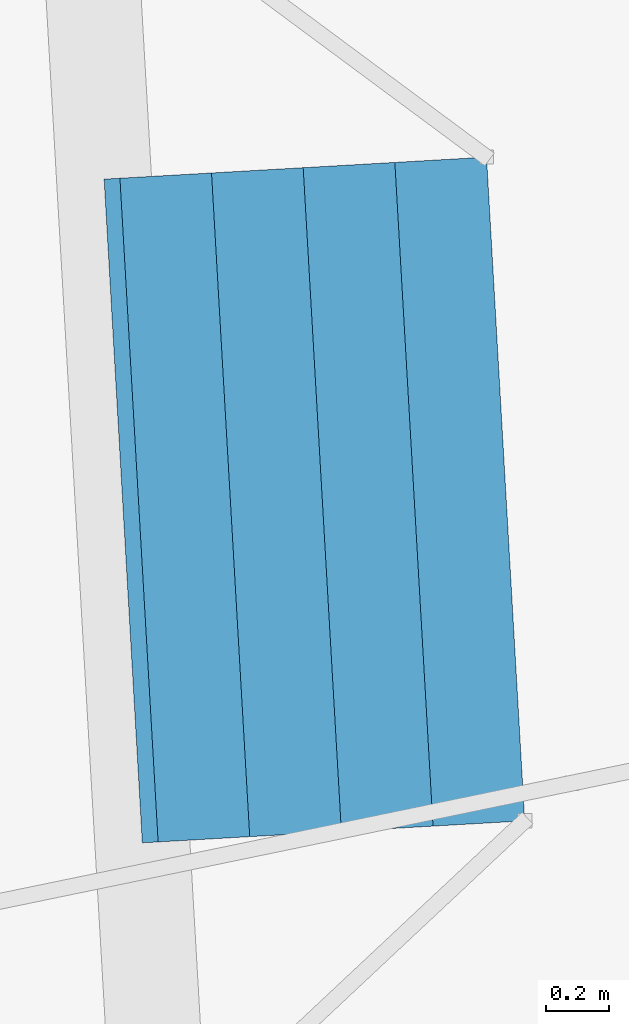
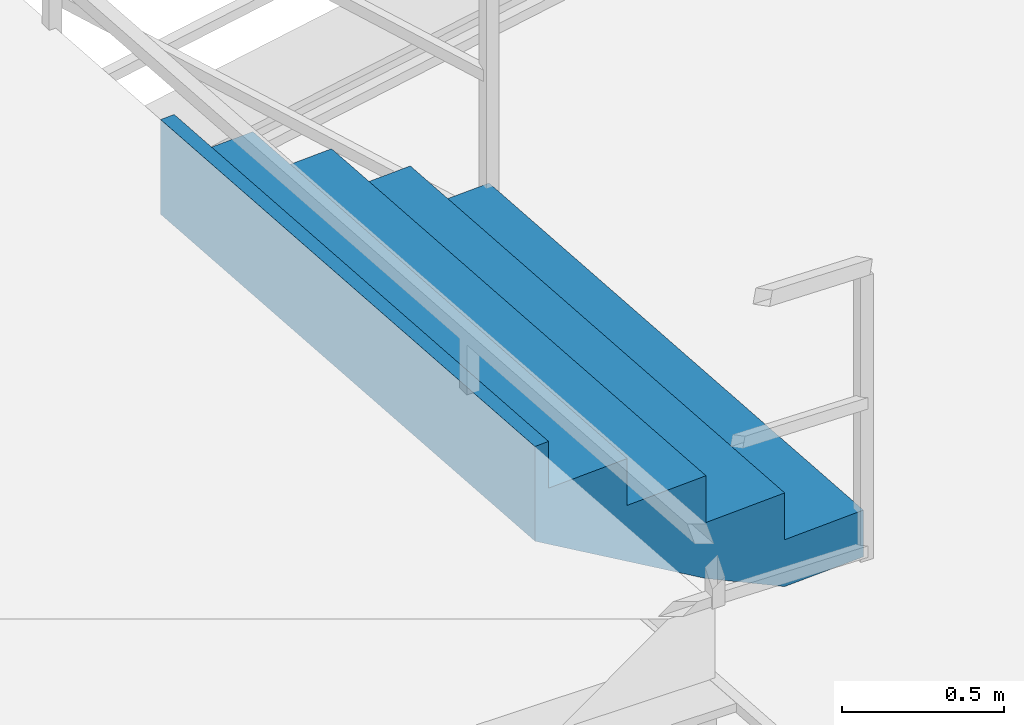
# One storey, part 156 of 186: 1 stair flight, 1 element without a shape of its own.
"""IFC4 building model written with IfcOpenShell, lengths in metres."""

from ifc_helpers import new_model, si_unit, direction, frame, origin, place, context, subcontext, project, spatial, polygons, material, type_object, element, aggregate, save


model = new_model("IFC4")

# Units and contexts
model_context = context("Model", 3, precision=1e-05, world=origin(), true_north=direction((0.0, 1.0)))
body_context = subcontext(model_context, "Body", "Model", "MODEL_VIEW")
ifc_project = project(units=[si_unit("LENGTHUNIT", "METRE"), si_unit("AREAUNIT", "SQUARE_METRE"), si_unit("VOLUMEUNIT", "CUBIC_METRE"), si_unit("PLANEANGLEUNIT", "RADIAN"), si_unit("MASSUNIT", "GRAM", prefix="KILO")], contexts=[model_context])

# Site, building, storey
site_placement = place(None, origin())
site = spatial("IfcSite", under=ifc_project, at=site_placement, CompositionType="ELEMENT")
building_placement = place(site_placement, origin())
building = spatial("IfcBuilding", under=site, at=building_placement, Name="Kazemori Nagisa Stadium", CompositionType="ELEMENT")
storey_placement = place(building_placement, frame((0.0, 0.0, 20.39990234375)))
storey = spatial("IfcBuildingStorey", under=building, at=storey_placement, Name="L04", CompositionType="ELEMENT", Elevation=20.39990234375)

# Stair, stair flight
ifc_material = material(Name="Concrete C36/45 (Fc36)", Category="concrete")
stair_type = type_object("IfcStairType", Name="Stair_VOM_VU", PredefinedType="STRAIGHT_RUN_STAIR", material=ifc_material)
stair_placement = place(storey_placement, origin())
stair = element("IfcStair", 1, at=stair_placement, inside=storey, type_object=stair_type, Name="Vomitory stair upper VU01", PredefinedType="STRAIGHT_RUN_STAIR")
stair_flight_type = type_object("IfcStairFlightType", Name="Flight_VOM_VU", PredefinedType="STRAIGHT", material=ifc_material)
stair_flight_placement = place(storey_placement, frame((198.03466796875, 115.041259765625, 0.0), z_axis=(0.0, 0.0, 1.0), x_axis=(-0.998348308556, -0.057451325513, 0.0)))
stair_flight = element("IfcStairFlight", 2, at=stair_flight_placement, type_object=stair_flight_type, Name="Vomitory stair upper VU01 flight", NumberOfRisers=5, NumberOfTreads=4, PredefinedType="STRAIGHT", RiserHeight=0.176, TreadLength=0.29, context=body_context, shape_type="Tessellation", body=[
    polygons([(0.0, -1.050048828125, 0.0), (0.0, -1.050048828125, 0.176025390625), (0.2900390625, -1.050048828125, 0.176025390625), (0.2900390625, -1.050048828125, 0.35205078125), (0.580078125, -1.050048828125, 0.35205078125), (0.580078125, -1.050048828125, 0.528076171875), (0.8701171875, -1.050048828125, 0.528076171875), (0.8701171875, -1.050048828125, 0.7041015625), (1.159912109375, -1.050048828125, 0.7041015625), (1.159912109375, -1.050048828125, 0.8798828125), (1.2099609375, -1.050048828125, 0.8798828125), (1.2099609375, -1.050048828125, 0.52392578125), (1.159912109375, -1.050048828125, 0.493408203125), (0.8701171875, -1.050048828125, 0.317626953125), (0.580078125, -1.050048828125, 0.1416015625), (0.2900390625, -1.050048828125, 0.0), (0.0, -0.083984375, 0.0), (0.0, -0.083984375, 0.176025390625), (0.2900390625, -0.083984375, 0.176025390625), (0.2900390625, -0.083984375, 0.35205078125), (0.580078125, -0.083984375, 0.35205078125), (0.580078125, -0.083984375, 0.528076171875), (0.8701171875, -0.083984375, 0.528076171875), (0.8701171875, -0.083984375, 0.7041015625), (1.159912109375, -0.083984375, 0.7041015625), (1.159912109375, -0.083984375, 0.8798828125), (1.2099609375, -0.083984375, 0.8798828125), (1.2099609375, -0.083984375, 0.52392578125), (1.159912109375, -0.083984375, 0.493408203125), (0.8701171875, -0.083984375, 0.317626953125), (0.580078125, -0.083984375, 0.1416015625), (0.2900390625, -0.083984375, 0.0), (0.0, -0.06298828125, 0.0), (0.0, -0.06298828125, 0.176025390625), (0.2900390625, -0.06298828125, 0.176025390625), (0.2900390625, -0.06298828125, 0.35205078125), (0.580078125, -0.06298828125, 0.35205078125), (0.580078125, -0.06298828125, 0.528076171875), (0.8701171875, -0.06298828125, 0.528076171875), (0.8701171875, -0.06298828125, 0.7041015625), (1.159912109375, -0.06298828125, 0.7041015625), (1.159912109375, -0.06298828125, 0.8798828125), (1.2099609375, -0.06298828125, 0.8798828125), (1.2099609375, -0.06298828125, 0.52392578125), (1.159912109375, -0.06298828125, 0.493408203125), (0.8701171875, -0.06298828125, 0.317626953125), (0.580078125, -0.06298828125, 0.1416015625), (0.2900390625, -0.06298828125, 0.0), (0.0, -0.0419921875, 0.0), (0.0, -0.0419921875, 0.176025390625), (0.2900390625, -0.0419921875, 0.176025390625), (0.2900390625, -0.0419921875, 0.35205078125), (0.580078125, -0.0419921875, 0.35205078125), (0.580078125, -0.0419921875, 0.528076171875), (0.8701171875, -0.0419921875, 0.528076171875), (0.8701171875, -0.0419921875, 0.7041015625), (1.159912109375, -0.0419921875, 0.7041015625), (1.159912109375, -0.0419921875, 0.8798828125), (1.2099609375, -0.0419921875, 0.8798828125), (1.2099609375, -0.0419921875, 0.52392578125), (1.159912109375, -0.0419921875, 0.493408203125), (0.8701171875, -0.0419921875, 0.317626953125), (0.580078125, -0.0419921875, 0.1416015625), (0.2900390625, -0.0419921875, 0.0), (0.0, -0.02099609375, 0.0), (0.0, -0.02099609375, 0.176025390625), (0.2900390625, -0.02099609375, 0.176025390625), (0.2900390625, -0.02099609375, 0.35205078125), (0.580078125, -0.02099609375, 0.35205078125), (0.580078125, -0.02099609375, 0.528076171875), (0.8701171875, -0.02099609375, 0.528076171875), (0.8701171875, -0.02099609375, 0.7041015625), (1.159912109375, -0.02099609375, 0.7041015625), (1.159912109375, -0.02099609375, 0.8798828125), (1.2099609375, -0.02099609375, 0.8798828125), (1.2099609375, -0.02099609375, 0.52392578125), (1.159912109375, -0.02099609375, 0.493408203125), (0.8701171875, -0.02099609375, 0.317626953125), (0.580078125, -0.02099609375, 0.1416015625), (0.2900390625, -0.02099609375, 0.0), (0.0, 0.0, 0.0), (0.0, 0.0, 0.176025390625), (0.2900390625, 0.0, 0.176025390625), (0.2900390625, 0.0, 0.35205078125), (0.580078125, 0.0, 0.35205078125), (0.580078125, 0.0, 0.528076171875), (0.8701171875, 0.0, 0.528076171875), (0.8701171875, 0.0, 0.7041015625), (1.159912109375, 0.0, 0.7041015625), (1.159912109375, 0.0, 0.8798828125), (1.2099609375, 0.0, 0.8798828125), (1.2099609375, 0.0, 0.52392578125), (1.159912109375, 0.0, 0.493408203125), (0.8701171875, 0.0, 0.317626953125), (0.580078125, 0.0, 0.1416015625), (0.2900390625, 0.0, 0.0), (0.0, 0.02099609375, 0.0), (0.0, 0.02099609375, 0.176025390625), (0.2900390625, 0.02099609375, 0.176025390625), (0.2900390625, 0.02099609375, 0.35205078125), (0.580078125, 0.02099609375, 0.35205078125), (0.580078125, 0.02099609375, 0.528076171875), (0.8701171875, 0.02099609375, 0.528076171875), (0.8701171875, 0.02099609375, 0.7041015625), (1.159912109375, 0.02099609375, 0.7041015625), (1.159912109375, 0.02099609375, 0.8798828125), (1.2099609375, 0.02099609375, 0.8798828125), (1.2099609375, 0.02099609375, 0.52392578125), (1.159912109375, 0.02099609375, 0.493408203125), (0.8701171875, 0.02099609375, 0.317626953125), (0.580078125, 0.02099609375, 0.1416015625), (0.2900390625, 0.02099609375, 0.0), (0.0, 0.0419921875, 0.0), (0.0, 0.0419921875, 0.176025390625), (0.2900390625, 0.0419921875, 0.176025390625), (0.2900390625, 0.0419921875, 0.35205078125), (0.580078125, 0.0419921875, 0.35205078125), (0.580078125, 0.0419921875, 0.528076171875), (0.8701171875, 0.0419921875, 0.528076171875), (0.8701171875, 0.0419921875, 0.7041015625), (1.159912109375, 0.0419921875, 0.7041015625), (1.159912109375, 0.0419921875, 0.8798828125), (1.2099609375, 0.0419921875, 0.8798828125), (1.2099609375, 0.0419921875, 0.52392578125), (1.159912109375, 0.0419921875, 0.493408203125), (0.8701171875, 0.0419921875, 0.317626953125), (0.580078125, 0.0419921875, 0.1416015625), (0.2900390625, 0.0419921875, 0.0), (0.0, 0.06298828125, 0.0), (0.0, 0.06298828125, 0.176025390625), (0.2900390625, 0.06298828125, 0.176025390625), (0.2900390625, 0.06298828125, 0.35205078125), (0.580078125, 0.06298828125, 0.35205078125), (0.580078125, 0.06298828125, 0.528076171875), (0.8701171875, 0.06298828125, 0.528076171875), (0.8701171875, 0.06298828125, 0.7041015625), (1.159912109375, 0.06298828125, 0.7041015625), (1.159912109375, 0.06298828125, 0.8798828125), (1.2099609375, 0.06298828125, 0.8798828125), (1.2099609375, 0.06298828125, 0.52392578125), (1.159912109375, 0.06298828125, 0.493408203125), (0.8701171875, 0.06298828125, 0.317626953125), (0.580078125, 0.06298828125, 0.1416015625), (0.2900390625, 0.06298828125, 0.0), (0.0, 0.083984375, 0.0), (0.0, 0.083984375, 0.176025390625), (0.2900390625, 0.083984375, 0.176025390625), (0.2900390625, 0.083984375, 0.35205078125), (0.580078125, 0.083984375, 0.35205078125), (0.580078125, 0.083984375, 0.528076171875), (0.8701171875, 0.083984375, 0.528076171875), (0.8701171875, 0.083984375, 0.7041015625), (1.159912109375, 0.083984375, 0.7041015625), (1.159912109375, 0.083984375, 0.8798828125), (1.2099609375, 0.083984375, 0.8798828125), (1.2099609375, 0.083984375, 0.52392578125), (1.159912109375, 0.083984375, 0.493408203125), (0.8701171875, 0.083984375, 0.317626953125), (0.580078125, 0.083984375, 0.1416015625), (0.2900390625, 0.083984375, 0.0), (0.0, 1.050048828125, 0.0), (0.0, 1.050048828125, 0.176025390625), (0.2900390625, 1.050048828125, 0.176025390625), (0.2900390625, 1.050048828125, 0.35205078125), (0.580078125, 1.050048828125, 0.35205078125), (0.580078125, 1.050048828125, 0.528076171875), (0.8701171875, 1.050048828125, 0.528076171875), (0.8701171875, 1.050048828125, 0.7041015625), (1.159912109375, 1.050048828125, 0.7041015625), (1.159912109375, 1.050048828125, 0.8798828125), (1.2099609375, 1.050048828125, 0.8798828125), (1.2099609375, 1.050048828125, 0.52392578125), (1.159912109375, 1.050048828125, 0.493408203125), (0.8701171875, 1.050048828125, 0.317626953125), (0.580078125, 1.050048828125, 0.1416015625), (0.2900390625, 1.050048828125, 0.0)], [[[1, 2, 18]], [[1, 18, 17]], [[2, 3, 19]], [[2, 19, 18]], [[3, 4, 20]], [[3, 20, 19]], [[4, 5, 21]], [[4, 21, 20]], [[5, 6, 22]], [[5, 22, 21]], [[6, 7, 23]], [[6, 23, 22]], [[7, 8, 24]], [[7, 24, 23]], [[8, 9, 25]], [[8, 25, 24]], [[9, 10, 26]], [[9, 26, 25]], [[10, 11, 27]], [[10, 27, 26]], [[11, 12, 28]], [[11, 28, 27]], [[12, 13, 29]], [[12, 29, 28]], [[13, 14, 30]], [[13, 30, 29]], [[14, 15, 31]], [[14, 31, 30]], [[15, 16, 32]], [[15, 32, 31]], [[16, 1, 17]], [[16, 17, 32]], [[17, 18, 34]], [[17, 34, 33]], [[18, 19, 35]], [[18, 35, 34]], [[19, 20, 36]], [[19, 36, 35]], [[20, 21, 37]], [[20, 37, 36]], [[21, 22, 38]], [[21, 38, 37]], [[22, 23, 39]], [[22, 39, 38]], [[23, 24, 40]], [[23, 40, 39]], [[24, 25, 41]], [[24, 41, 40]], [[25, 26, 42]], [[25, 42, 41]], [[26, 27, 43]], [[26, 43, 42]], [[27, 28, 44]], [[27, 44, 43]], [[28, 29, 45]], [[28, 45, 44]], [[29, 30, 46]], [[29, 46, 45]], [[30, 31, 47]], [[30, 47, 46]], [[31, 32, 48]], [[31, 48, 47]], [[32, 17, 33]], [[32, 33, 48]], [[33, 34, 50]], [[33, 50, 49]], [[34, 35, 51]], [[34, 51, 50]], [[35, 36, 52]], [[35, 52, 51]], [[36, 37, 53]], [[36, 53, 52]], [[37, 38, 54]], [[37, 54, 53]], [[38, 39, 55]], [[38, 55, 54]], [[39, 40, 56]], [[39, 56, 55]], [[40, 41, 57]], [[40, 57, 56]], [[41, 42, 58]], [[41, 58, 57]], [[42, 43, 59]], [[42, 59, 58]], [[43, 44, 60]], [[43, 60, 59]], [[44, 45, 61]], [[44, 61, 60]], [[45, 46, 62]], [[45, 62, 61]], [[46, 47, 63]], [[46, 63, 62]], [[47, 48, 64]], [[47, 64, 63]], [[48, 33, 49]], [[48, 49, 64]], [[49, 50, 66]], [[49, 66, 65]], [[50, 51, 67]], [[50, 67, 66]], [[51, 52, 68]], [[51, 68, 67]], [[52, 53, 69]], [[52, 69, 68]], [[53, 54, 70]], [[53, 70, 69]], [[54, 55, 71]], [[54, 71, 70]], [[55, 56, 72]], [[55, 72, 71]], [[56, 57, 73]], [[56, 73, 72]], [[57, 58, 74]], [[57, 74, 73]], [[58, 59, 75]], [[58, 75, 74]], [[59, 60, 76]], [[59, 76, 75]], [[60, 61, 77]], [[60, 77, 76]], [[61, 62, 78]], [[61, 78, 77]], [[62, 63, 79]], [[62, 79, 78]], [[63, 64, 80]], [[63, 80, 79]], [[64, 49, 65]], [[64, 65, 80]], [[65, 66, 82]], [[65, 82, 81]], [[66, 67, 83]], [[66, 83, 82]], [[67, 68, 84]], [[67, 84, 83]], [[68, 69, 85]], [[68, 85, 84]], [[69, 70, 86]], [[69, 86, 85]], [[70, 71, 87]], [[70, 87, 86]], [[71, 72, 88]], [[71, 88, 87]], [[72, 73, 89]], [[72, 89, 88]], [[73, 74, 90]], [[73, 90, 89]], [[74, 75, 91]], [[74, 91, 90]], [[75, 76, 92]], [[75, 92, 91]], [[76, 77, 93]], [[76, 93, 92]], [[77, 78, 94]], [[77, 94, 93]], [[78, 79, 95]], [[78, 95, 94]], [[79, 80, 96]], [[79, 96, 95]], [[80, 65, 81]], [[80, 81, 96]], [[81, 82, 98]], [[81, 98, 97]], [[82, 83, 99]], [[82, 99, 98]], [[83, 84, 100]], [[83, 100, 99]], [[84, 85, 101]], [[84, 101, 100]], [[85, 86, 102]], [[85, 102, 101]], [[86, 87, 103]], [[86, 103, 102]], [[87, 88, 104]], [[87, 104, 103]], [[88, 89, 105]], [[88, 105, 104]], [[89, 90, 106]], [[89, 106, 105]], [[90, 91, 107]], [[90, 107, 106]], [[91, 92, 108]], [[91, 108, 107]], [[92, 93, 109]], [[92, 109, 108]], [[93, 94, 110]], [[93, 110, 109]], [[94, 95, 111]], [[94, 111, 110]], [[95, 96, 112]], [[95, 112, 111]], [[96, 81, 97]], [[96, 97, 112]], [[97, 98, 114]], [[97, 114, 113]], [[98, 99, 115]], [[98, 115, 114]], [[99, 100, 116]], [[99, 116, 115]], [[100, 101, 117]], [[100, 117, 116]], [[101, 102, 118]], [[101, 118, 117]], [[102, 103, 119]], [[102, 119, 118]], [[103, 104, 120]], [[103, 120, 119]], [[104, 105, 121]], [[104, 121, 120]], [[105, 106, 122]], [[105, 122, 121]], [[106, 107, 123]], [[106, 123, 122]], [[107, 108, 124]], [[107, 124, 123]], [[108, 109, 125]], [[108, 125, 124]], [[109, 110, 126]], [[109, 126, 125]], [[110, 111, 127]], [[110, 127, 126]], [[111, 112, 128]], [[111, 128, 127]], [[112, 97, 113]], [[112, 113, 128]], [[113, 114, 130]], [[113, 130, 129]], [[114, 115, 131]], [[114, 131, 130]], [[115, 116, 132]], [[115, 132, 131]], [[116, 117, 133]], [[116, 133, 132]], [[117, 118, 134]], [[117, 134, 133]], [[118, 119, 135]], [[118, 135, 134]], [[119, 120, 136]], [[119, 136, 135]], [[120, 121, 137]], [[120, 137, 136]], [[121, 122, 138]], [[121, 138, 137]], [[122, 123, 139]], [[122, 139, 138]], [[123, 124, 140]], [[123, 140, 139]], [[124, 125, 141]], [[124, 141, 140]], [[125, 126, 142]], [[125, 142, 141]], [[126, 127, 143]], [[126, 143, 142]], [[127, 128, 144]], [[127, 144, 143]], [[128, 113, 129]], [[128, 129, 144]], [[129, 130, 146]], [[129, 146, 145]], [[130, 131, 147]], [[130, 147, 146]], [[131, 132, 148]], [[131, 148, 147]], [[132, 133, 149]], [[132, 149, 148]], [[133, 134, 150]], [[133, 150, 149]], [[134, 135, 151]], [[134, 151, 150]], [[135, 136, 152]], [[135, 152, 151]], [[136, 137, 153]], [[136, 153, 152]], [[137, 138, 154]], [[137, 154, 153]], [[138, 139, 155]], [[138, 155, 154]], [[139, 140, 156]], [[139, 156, 155]], [[140, 141, 157]], [[140, 157, 156]], [[141, 142, 158]], [[141, 158, 157]], [[142, 143, 159]], [[142, 159, 158]], [[143, 144, 160]], [[143, 160, 159]], [[144, 129, 145]], [[144, 145, 160]], [[145, 146, 162]], [[145, 162, 161]], [[146, 147, 163]], [[146, 163, 162]], [[147, 148, 164]], [[147, 164, 163]], [[148, 149, 165]], [[148, 165, 164]], [[149, 150, 166]], [[149, 166, 165]], [[150, 151, 167]], [[150, 167, 166]], [[151, 152, 168]], [[151, 168, 167]], [[152, 153, 169]], [[152, 169, 168]], [[153, 154, 170]], [[153, 170, 169]], [[154, 155, 171]], [[154, 171, 170]], [[155, 156, 172]], [[155, 172, 171]], [[156, 157, 173]], [[156, 173, 172]], [[157, 158, 174]], [[157, 174, 173]], [[158, 159, 175]], [[158, 175, 174]], [[159, 160, 176]], [[159, 176, 175]], [[160, 145, 161]], [[160, 161, 176]], [[3, 2, 1]], [[161, 162, 163]], [[16, 3, 1]], [[161, 163, 176]], [[15, 3, 16]], [[176, 163, 175]], [[5, 3, 15]], [[175, 163, 165]], [[5, 4, 3]], [[163, 164, 165]], [[14, 5, 15]], [[175, 165, 174]], [[7, 5, 14]], [[174, 165, 167]], [[7, 6, 5]], [[165, 166, 167]], [[13, 7, 14]], [[174, 167, 173]], [[9, 7, 13]], [[173, 167, 169]], [[9, 8, 7]], [[167, 168, 169]], [[12, 9, 13]], [[173, 169, 172]], [[11, 9, 12]], [[172, 169, 171]], [[11, 10, 9]], [[169, 170, 171]]], closed=True),
])
aggregate(stair, [stair_flight])

save(model, "model.ifc")
